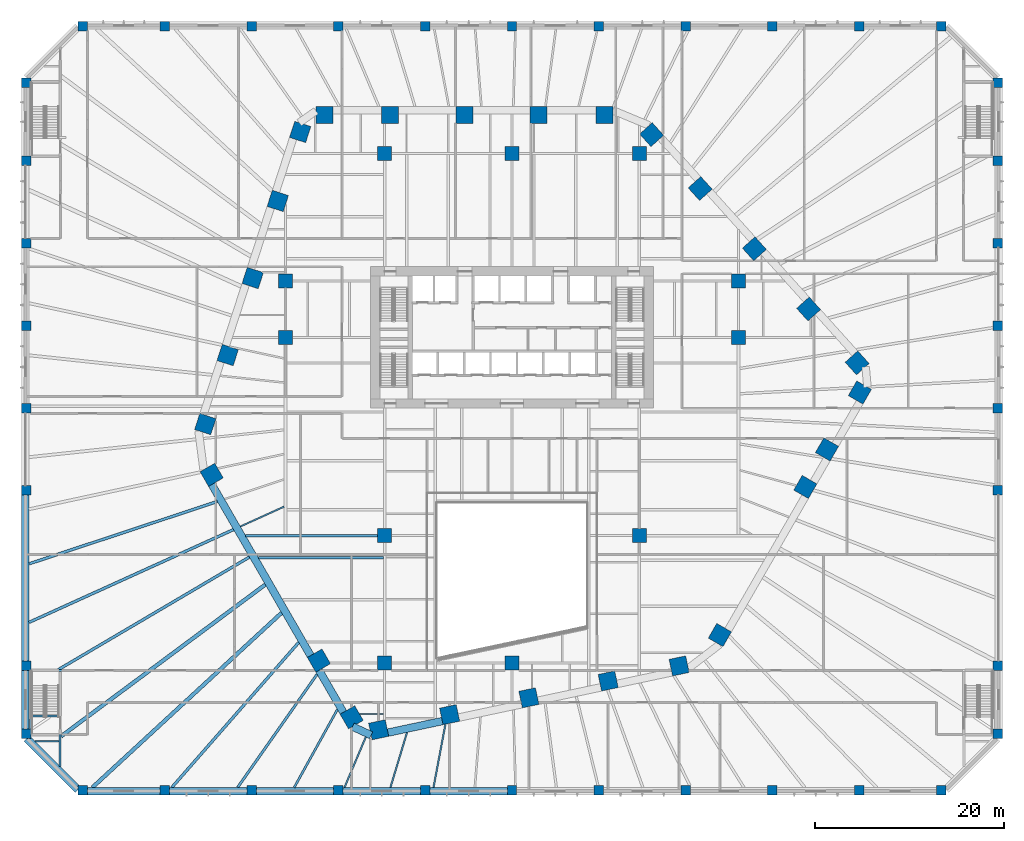
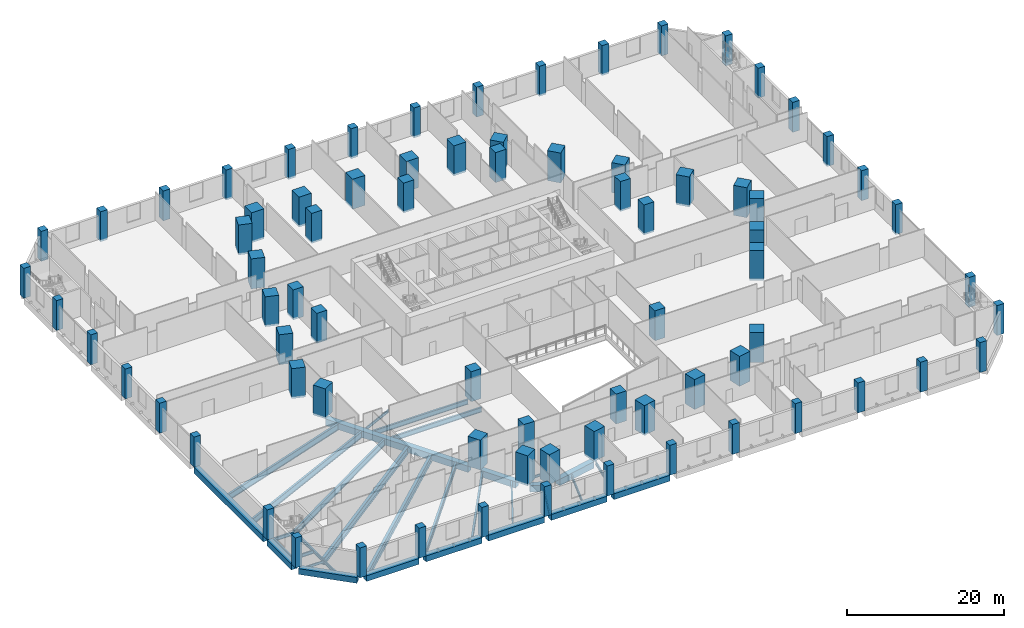
# One storey, part 1 of 33: 76 columns, 32 beams.
"""IFC4 building model written with IfcOpenShell, lengths in metres."""

from ifc_helpers import new_model, si_unit, direction, frame, origin, origin_2d, place, context, subcontext, project, spatial, rectangle, i_section, extrude, material, material_profile, profile_set, type_object, element, save


model = new_model("IFC4")

# Units and contexts
model_context = context("Model", 3, precision=1e-05, world=origin(), true_north=direction((0.0, 1.0)))
body_context = subcontext(model_context, "Body", "Model", "MODEL_VIEW")
ifc_project = project(units=[si_unit("LENGTHUNIT", "METRE"), si_unit("AREAUNIT", "SQUARE_METRE"), si_unit("VOLUMEUNIT", "CUBIC_METRE"), si_unit("PLANEANGLEUNIT", "RADIAN"), si_unit("MASSUNIT", "GRAM", prefix="KILO")], contexts=[model_context])

# Site, building, storey
site_placement = place(None, origin())
site = spatial("IfcSite", under=ifc_project, at=site_placement, CompositionType="ELEMENT")
building_placement = place(site_placement, origin())
building = spatial("IfcBuilding", under=site, at=building_placement, Name="Isthmus Gate Tower", CompositionType="ELEMENT")
storey_placement = place(building_placement, frame((0.0, 0.0, 31.5)))
storey = spatial("IfcBuildingStorey", under=building, at=storey_placement, Name="L05", CompositionType="ELEMENT", Elevation=31.5)

# Columns
ifc_material_1 = material(Name="Concrete f'c 70 MPa", Category="concrete")
ifc_material_profile_1 = material_profile(ifc_material_1, rectangle(XDim=1.5, YDim=1.5, at=origin_2d()), Name="RC 1500X1500")
ifc_profile_set_1 = profile_set([ifc_material_profile_1], Name="Concrete f'c 70 MPa")
column_type_1 = type_object("IfcColumnType", Name="RC INTERIOR COLUMN 1500 X 1500", PredefinedType="COLUMN", material=ifc_profile_set_1)
for number, where, z_axis, x_axis, name in (
    (1, (-24.0, 7.5, -0.300048828125), (0.0, 0.0, 1.0), (1.0, 0.0, 0.0), "str-icol-L05-ICA3"),
    (2, (-24.0, 13.5, -0.300048828125), (0.0, 0.0, 1.0), (1.0, 0.0, 0.0), "str-icol-L05-ICA4"),
    (3, (-13.5, -27.0, -0.300048828125), (0.0, 0.0, 1.0), (1.0, 0.0, 0.0), "str-icol-L05-ICB1"),
    (4, (-13.5, -13.5, -0.300048828125), (0.0, 0.0, 1.0), (1.0, 0.0, 0.0), "str-icol-L05-ICB2"),
    (5, (-13.5, 27.0, -0.300048828125), (0.0, 0.0, 1.0), (1.0, 0.0, 0.0), "str-icol-L05-ICB5"),
    (6, (0.0, -27.0, -0.300048828125), (0.0, 0.0, 1.0), (1.0, 0.0, 0.0), "str-icol-L05-ICC1"),
    (7, (0.0, 27.0, -0.300048828125), (0.0, 0.0, 1.0), (1.0, 0.0, 0.0), "str-icol-L05-ICC5"),
    (8, (13.5, -13.5, -0.300048828125), (0.0, 0.0, 1.0), (1.0, 0.0, 0.0), "str-icol-L05-ICD2"),
    (9, (13.5, 27.0, -0.300048828125), (0.0, 0.0, 1.0), (1.0, 0.0, 0.0), "str-icol-L05-ICD5"),
    (10, (24.0, 7.5, -0.300048828125), (0.0, 0.0, 1.0), (1.0, 0.0, 0.0), "str-icol-L05-ICE3"),
    (11, (24.0, 13.5, -0.300048828125), (0.0, 0.0, 1.0), (1.0, 0.0, 0.0), "str-icol-L05-ICE4"),
):
    element("IfcColumn", number, at=place(storey_placement, frame(where, z_axis=z_axis, x_axis=x_axis)), inside=storey, type_object=column_type_1, Name=name, PredefinedType="COLUMN", context=body_context, shape_type="SweptSolid", body=[
        extrude(rectangle(XDim=1.5, YDim=1.5, at=origin_2d()), origin(), (0.0, 0.0, 1.0), 4.650146484375),
    ])
ifc_material_2 = material(Name="Concrete f'c 70 MPa", Category="concrete")
ifc_material_profile_2 = material_profile(ifc_material_2, rectangle(XDim=1.0, YDim=1.0, at=origin_2d()), Name="RC 1000X1000")
ifc_profile_set_2 = profile_set([ifc_material_profile_2], Name="Concrete f'c 70 MPa")
column_type_2 = type_object("IfcColumnType", Name="RC PODIUM COLUMN 1000 X 1000", PredefinedType="COLUMN", material=ifc_profile_set_2)
for number, where, z_axis, x_axis, name in (
    (12, (-45.5, -40.5, -0.300048828125), (0.0, 0.0, 1.0), (1.0, 0.0, 0.0), "str-pcol-L05-PC01"),
    (13, (-36.800048828125, -40.5, -0.300048828125), (0.0, 0.0, 1.0), (1.0, 0.0, 0.0), "str-pcol-L05-PC02"),
    (14, (-27.60009765625, -40.5, -0.300048828125), (0.0, 0.0, 1.0), (1.0, 0.0, 0.0), "str-pcol-L05-PC03"),
    (15, (-18.39990234375, -40.5, -0.300048828125), (0.0, 0.0, 1.0), (1.0, 0.0, 0.0), "str-pcol-L05-PC04"),
    (16, (-9.199951171875, -40.5, -0.300048828125), (0.0, 0.0, 1.0), (1.0, 0.0, 0.0), "str-pcol-L05-PC05"),
    (17, (0.0, -40.5, -0.300048828125), (0.0, 0.0, 1.0), (1.0, 0.0, 0.0), "str-pcol-L05-PC06"),
    (18, (9.199951171875, -40.5, -0.300048828125), (0.0, 0.0, 1.0), (1.0, 0.0, 0.0), "str-pcol-L05-PC07"),
    (19, (18.39990234375, -40.5, -0.300048828125), (0.0, 0.0, 1.0), (1.0, 0.0, 0.0), "str-pcol-L05-PC08"),
    (20, (27.60009765625, -40.5, -0.300048828125), (0.0, 0.0, 1.0), (1.0, 0.0, 0.0), "str-pcol-L05-PC09"),
    (21, (36.800048828125, -40.5, -0.300048828125), (0.0, 0.0, 1.0), (1.0, 0.0, 0.0), "str-pcol-L05-PC10"),
    (22, (45.5, -40.5, -0.300048828125), (0.0, 0.0, 1.0), (1.0, 0.0, 0.0), "str-pcol-L05-PC11"),
    (23, (51.5, -34.5, -0.300048828125), (0.0, 0.0, 1.0), (0.0, 1.0, 0.0), "str-pcol-L05-PC12"),
    (24, (51.5, 0.0, -0.300048828125), (0.0, 0.0, 1.0), (0.0, 1.0, 0.0), "str-pcol-L05-PC13"),
    (25, (51.5, 8.75, -0.300048828125), (0.0, 0.0, 1.0), (0.0, 1.0, 0.0), "str-pcol-L05-PC14"),
    (26, (51.5, 17.5, -0.300048828125), (0.0, 0.0, 1.0), (0.0, 1.0, 0.0), "str-pcol-L05-PC15"),
    (27, (51.5, 26.25, -0.300048828125), (0.0, 0.0, 1.0), (0.0, 1.0, 0.0), "str-pcol-L05-PC16"),
    (28, (51.5, 34.5, -0.300048828125), (0.0, 0.0, 1.0), (0.0, 1.0, 0.0), "str-pcol-L05-PC17"),
    (29, (45.5, 40.5, -0.300048828125), (0.0, 0.0, 1.0), (-1.0, 0.0, 0.0), "str-pcol-L05-PC18"),
    (30, (36.800048828125, 40.5, -0.300048828125), (0.0, 0.0, 1.0), (-1.0, 0.0, 0.0), "str-pcol-L05-PC19"),
    (31, (27.60009765625, 40.5, -0.300048828125), (0.0, 0.0, 1.0), (-1.0, 0.0, 0.0), "str-pcol-L05-PC20"),
    (32, (18.39990234375, 40.5, -0.300048828125), (0.0, 0.0, 1.0), (-1.0, 0.0, 0.0), "str-pcol-L05-PC21"),
    (33, (9.199951171875, 40.5, -0.300048828125), (0.0, 0.0, 1.0), (-1.0, 0.0, 0.0), "str-pcol-L05-PC22"),
    (34, (0.0, 40.5, -0.300048828125), (0.0, 0.0, 1.0), (-1.0, 0.0, 0.0), "str-pcol-L05-PC23"),
    (35, (-9.199951171875, 40.5, -0.300048828125), (0.0, 0.0, 1.0), (-1.0, 0.0, 0.0), "str-pcol-L05-PC24"),
    (36, (-18.39990234375, 40.5, -0.300048828125), (0.0, 0.0, 1.0), (-1.0, 0.0, 0.0), "str-pcol-L05-PC25"),
    (37, (-27.60009765625, 40.5, -0.300048828125), (0.0, 0.0, 1.0), (-1.0, 0.0, 0.0), "str-pcol-L05-PC26"),
    (38, (-36.800048828125, 40.5, -0.300048828125), (0.0, 0.0, 1.0), (-1.0, 0.0, 0.0), "str-pcol-L05-PC27"),
    (39, (-45.5, 40.5, -0.300048828125), (0.0, 0.0, 1.0), (-1.0, 0.0, 0.0), "str-pcol-L05-PC28"),
    (40, (-51.5, 34.5, -0.300048828125), (0.0, 0.0, 1.0), (0.0, -1.0, 0.0), "str-pcol-L05-PC29"),
    (41, (-51.5, 26.25, -0.300048828125), (0.0, 0.0, 1.0), (0.0, -1.0, 0.0), "str-pcol-L05-PC30"),
    (42, (-51.5, 17.5, -0.300048828125), (0.0, 0.0, 1.0), (0.0, -1.0, 0.0), "str-pcol-L05-PC31"),
    (43, (-51.5, 8.75, -0.300048828125), (0.0, 0.0, 1.0), (0.0, -1.0, 0.0), "str-pcol-L05-PC32"),
    (44, (-51.5, 0.0, -0.300048828125), (0.0, 0.0, 1.0), (0.0, -1.0, 0.0), "str-pcol-L05-PC33"),
    (45, (-51.5, -34.5, -0.300048828125), (0.0, 0.0, 1.0), (0.0, -1.0, 0.0), "str-pcol-L05-PC34"),
    (46, (-51.5, -27.300048828125, -0.300048828125), (0.0, 0.0, 1.0), (0.0, 1.0, 0.0), "str-pcol-L05-PC35"),
    (47, (-51.5, -8.699951171875, -0.300048828125), (0.0, 0.0, 1.0), (0.0, 1.0, 0.0), "str-pcol-L05-PC36"),
    (48, (51.5, -27.300048828125, -0.300048828125), (0.0, 0.0, 1.0), (0.0, 1.0, 0.0), "str-pcol-L05-PC37"),
    (49, (51.5, -8.699951171875, -0.300048828125), (0.0, 0.0, 1.0), (0.0, 1.0, 0.0), "str-pcol-L05-PC38"),
):
    element("IfcColumn", number, at=place(storey_placement, frame(where, z_axis=z_axis, x_axis=x_axis)), inside=storey, type_object=column_type_2, Name=name, PredefinedType="COLUMN", context=body_context, shape_type="SweptSolid", body=[
        extrude(rectangle(XDim=1.0, YDim=1.0, at=origin_2d()), origin(), (0.0, 0.0, 1.0), 4.650146484375),
    ])
ifc_material_3 = material(Name="Concrete f'c 70 MPa", Category="concrete")
ifc_material_profile_3 = material_profile(ifc_material_3, rectangle(XDim=1.800048828125, YDim=1.800048828125, at=origin_2d()), Name="RC 1800X1800")
ifc_profile_set_3 = profile_set([ifc_material_profile_3], Name="Concrete f'c 70 MPa")
column_type_3 = type_object("IfcColumnType", Name="RC TUBE COLUMN 1800 X 1800", PredefinedType="COLUMN", material=ifc_profile_set_3)
for number, where, z_axis, x_axis, name in (
    (50, (9.8017578125, 31.10009765625, -0.300048828125), (0.0, 0.0, 1.0), (-1.0, 0.0, 0.0), "str-tcol-L05-T1N0"),
    (51, (2.832275390625, 31.10009765625, -0.300048828125), (0.0, 0.0, 1.0), (-1.0, 0.0, 0.0), "str-tcol-L05-T1N1"),
    (52, (-5.037109375, 31.10009765625, -0.300048828125), (0.0, 0.0, 1.0), (-1.0, 0.0, 0.0), "str-tcol-L05-T1N2"),
    (53, (-12.90673828125, 31.10009765625, -0.300048828125), (0.0, 0.0, 1.0), (-1.0, 0.0, 0.0), "str-tcol-L05-T1N3"),
    (54, (-19.876220703125, 31.10009765625, -0.300048828125), (0.0, 0.0, 1.0), (-1.0, 0.0, 0.0), "str-tcol-L05-T1N4"),
    (55, (-22.451171875, 29.281005859375, -0.300048828125), (0.0, 0.0, 1.0), (-0.309016994375, -0.951056516295, 0.0), "str-tcol-L05-T1NW0"),
    (56, (-24.827392578125, 21.9677734375, -0.300048828125), (0.0, 0.0, 1.0), (-0.309016994375, -0.951056516295, 0.0), "str-tcol-L05-T1NW1"),
    (57, (-27.481689453125, 13.798828125, -0.300048828125), (0.0, 0.0, 1.0), (-0.309016994375, -0.951056516295, 0.0), "str-tcol-L05-T1NW2"),
    (58, (-30.135986328125, 5.6298828125, -0.300048828125), (0.0, 0.0, 1.0), (-0.309016994375, -0.951056516295, 0.0), "str-tcol-L05-T1NW3"),
    (59, (-32.511962890625, -1.68310546875, -0.300048828125), (0.0, 0.0, 1.0), (-0.309016994375, -0.951056516295, 0.0), "str-tcol-L05-T1NW4"),
    (60, (-31.834228515625, -7.061279296875, -0.300048828125), (0.0, 0.0, 1.0), (0.5, -0.866025403784, 0.0), "str-tcol-L05-T1SW0"),
    (61, (-20.467041015625, -26.75, -0.300048828125), (0.0, 0.0, 1.0), (0.5, -0.866025403784, 0.0), "str-tcol-L05-T1SW2"),
    (62, (-16.995361328125, -32.763427734375, -0.300048828125), (0.0, 0.0, 1.0), (0.5, -0.866025403784, 0.0), "str-tcol-L05-T1SW3"),
    (63, (-14.13232421875, -34.083740234375, -0.300048828125), (0.0, 0.0, 1.0), (0.978147600734, 0.207911690818, 0.0), "str-tcol-L05-T1S0"),
    (64, (-6.611083984375, -32.485107421875, -0.300048828125), (0.0, 0.0, 1.0), (0.978147600734, 0.207911690818, 0.0), "str-tcol-L05-T1S1"),
    (65, (1.79052734375, -30.69921875, -0.300048828125), (0.0, 0.0, 1.0), (0.978147600734, 0.207911690818, 0.0), "str-tcol-L05-T1S2"),
    (66, (10.192138671875, -28.91357421875, -0.300048828125), (0.0, 0.0, 1.0), (0.978147600734, 0.207911690818, 0.0), "str-tcol-L05-T1S3"),
    (67, (17.713623046875, -27.314697265625, -0.300048828125), (0.0, 0.0, 1.0), (0.978147600734, 0.207911690818, 0.0), "str-tcol-L05-T1S4"),
    (68, (22.032470703125, -24.03857421875, -0.300048828125), (0.0, 0.0, 1.0), (0.5, 0.866025403784, 0.0), "str-tcol-L05-T1SE0"),
    (69, (31.09033203125, -8.35009765625, -0.300048828125), (0.0, 0.0, 1.0), (0.5, 0.866025403784, 0.0), "str-tcol-L05-T1SE1"),
    (70, (33.38671875, -4.37255859375, -0.300048828125), (0.0, 0.0, 1.0), (0.5, 0.866025403784, 0.0), "str-tcol-L05-T1SE2"),
    (71, (36.87158203125, 1.663330078125, -0.300048828125), (0.0, 0.0, 1.0), (0.5, 0.866025403784, 0.0), "str-tcol-L05-T1SE3"),
    (72, (36.583740234375, 4.802978515625, -0.300048828125), (0.0, 0.0, 1.0), (-0.669130606359, 0.743144825477, 0.0), "str-tcol-L05-T1NE0"),
    (73, (31.4384765625, 10.517333984375, -0.300048828125), (0.0, 0.0, 1.0), (-0.669130606359, 0.743144825477, 0.0), "str-tcol-L05-T1NE1"),
    (74, (25.691162109375, 16.900390625, -0.300048828125), (0.0, 0.0, 1.0), (-0.669130606359, 0.743144825477, 0.0), "str-tcol-L05-T1NE2"),
    (75, (19.943603515625, 23.283447265625, -0.300048828125), (0.0, 0.0, 1.0), (-0.669130606359, 0.743144825477, 0.0), "str-tcol-L05-T1NE3"),
    (76, (14.798583984375, 28.997802734375, -0.300048828125), (0.0, 0.0, 1.0), (-0.669130606359, 0.743144825477, 0.0), "str-tcol-L05-T1NE4"),
):
    element("IfcColumn", number, at=place(storey_placement, frame(where, z_axis=z_axis, x_axis=x_axis)), inside=storey, type_object=column_type_3, Name=name, PredefinedType="COLUMN", context=body_context, shape_type="SweptSolid", body=[
        extrude(rectangle(XDim=1.800048828125, YDim=1.800048828125, at=origin_2d()), origin(), (0.0, 0.0, 1.0), 4.650146484375),
    ])

# Beams
ifc_material_4 = material(Name="Concrete f'c 70 MPa", Category="concrete")
ifc_material_profile_4 = material_profile(ifc_material_4, rectangle(XDim=0.800048828125, YDim=0.89990234375, at=origin_2d()), Name="RC 800X900")
ifc_profile_set_4 = profile_set([ifc_material_profile_4], Name="Concrete f'c 70 MPa")
beam_type_1 = type_object("IfcBeamType", Name="RC EDGE BEAM 800 X 900", PredefinedType="BEAM", material=ifc_profile_set_4)
beam_1_placement = place(storey_placement, frame((-46.0, -40.434326171875, -0.75), z_axis=(-0.707106781187, 0.707106781187, 0.0), x_axis=(-0.707106781187, -0.707106781187, 0.0)))
element("IfcBeam", 77, at=beam_1_placement, inside=storey, type_object=beam_type_1, Name="str-edgebeam-L05-00", PredefinedType="BEAM", context=body_context, shape_type="SweptSolid", body=[
    extrude(rectangle(XDim=0.800048828125, YDim=0.89990234375, at=origin_2d()), origin(), (0.0, 0.0, 1.0), 7.685302734375),
])
beam_2_placement = place(storey_placement, frame((-51.60009765625, -34.0, -0.75), z_axis=(0.0, 1.0, 0.0), x_axis=(-1.0, 0.0, 0.0)))
element("IfcBeam", 78, at=beam_2_placement, inside=storey, type_object=beam_type_1, Name="str-edgebeam-L05-01", PredefinedType="BEAM", context=body_context, shape_type="SweptSolid", body=[
    extrude(rectangle(XDim=0.800048828125, YDim=0.89990234375, at=origin_2d()), origin(), (0.0, 0.0, 1.0), 6.199951171875),
])
beam_3_placement = place(storey_placement, frame((-51.60009765625, -26.800048828125, -0.75), z_axis=(0.0, 1.0, 0.0), x_axis=(-1.0, 0.0, 0.0)))
element("IfcBeam", 79, at=beam_3_placement, inside=storey, type_object=beam_type_1, Name="str-edgebeam-L05-02", PredefinedType="BEAM", context=body_context, shape_type="SweptSolid", body=[
    extrude(rectangle(XDim=0.800048828125, YDim=0.89990234375, at=origin_2d()), origin(), (0.0, 0.0, 1.0), 17.60009765625),
])
for number, where, z_axis, x_axis, name in (
    (80, (-0.5, -40.60009765625, -0.75), (-1.0, 0.0, 0.0), (0.0, -1.0, 0.0), "str-edgebeam-L05-33"),
    (81, (-9.699951171875, -40.60009765625, -0.75), (-1.0, 0.0, 0.0), (0.0, -1.0, 0.0), "str-edgebeam-L05-34"),
):
    element("IfcBeam", number, at=place(storey_placement, frame(where, z_axis=z_axis, x_axis=x_axis)), inside=storey, type_object=beam_type_1, Name=name, PredefinedType="BEAM", context=body_context, shape_type="SweptSolid", body=[
        extrude(rectangle(XDim=0.800048828125, YDim=0.89990234375, at=origin_2d()), origin(), (0.0, 0.0, 1.0), 8.199951171875),
    ])
beam_4_placement = place(storey_placement, frame((-18.89990234375, -40.60009765625, -0.75), z_axis=(-1.0, 0.0, 0.0), x_axis=(0.0, -1.0, 0.0)))
element("IfcBeam", 82, at=beam_4_placement, inside=storey, type_object=beam_type_1, Name="str-edgebeam-L05-35", PredefinedType="BEAM", context=body_context, shape_type="SweptSolid", body=[
    extrude(rectangle(XDim=0.800048828125, YDim=0.89990234375, at=origin_2d()), origin(), (0.0, 0.0, 1.0), 8.2001953125),
])
beam_5_placement = place(storey_placement, frame((-28.10009765625, -40.60009765625, -0.75), z_axis=(-1.0, 0.0, 0.0), x_axis=(0.0, -1.0, 0.0)))
element("IfcBeam", 83, at=beam_5_placement, inside=storey, type_object=beam_type_1, Name="str-edgebeam-L05-36", PredefinedType="BEAM", context=body_context, shape_type="SweptSolid", body=[
    extrude(rectangle(XDim=0.800048828125, YDim=0.89990234375, at=origin_2d()), origin(), (0.0, 0.0, 1.0), 8.199951171875),
])
beam_6_placement = place(storey_placement, frame((-37.300048828125, -40.60009765625, -0.75), z_axis=(-1.0, 0.0, 0.0), x_axis=(0.0, -1.0, 0.0)))
element("IfcBeam", 84, at=beam_6_placement, inside=storey, type_object=beam_type_1, Name="str-edgebeam-L05-37", PredefinedType="BEAM", context=body_context, shape_type="SweptSolid", body=[
    extrude(rectangle(XDim=0.800048828125, YDim=0.89990234375, at=origin_2d()), origin(), (0.0, 0.0, 1.0), 7.699951171875),
])
ifc_material_5 = material(Name="Concrete f'c 70 MPa", Category="concrete")
ifc_material_profile_5 = material_profile(ifc_material_5, rectangle(XDim=0.800048828125, YDim=1.0, at=origin_2d()), Name="RC 800X1000")
ifc_profile_set_5 = profile_set([ifc_material_profile_5], Name="Concrete f'c 70 MPa")
beam_type_2 = type_object("IfcBeamType", Name="RC TUBE RING BEAM 800 X 1000", PredefinedType="BEAM", material=ifc_profile_set_5)
beam_7_placement = place(storey_placement, frame((-7.387451171875, -33.161376953125, -0.800048828125), z_axis=(-0.978149894464, -0.207900899374, 0.0), x_axis=(0.207900899374, -0.978149894464, 0.0)))
element("IfcBeam", 85, at=beam_7_placement, inside=storey, type_object=beam_type_2, Name="str-ringbeam-L05-13", PredefinedType="BEAM", context=body_context, shape_type="SweptSolid", body=[
    extrude(rectangle(XDim=0.800048828125, YDim=1.0, at=origin_2d()), origin(), (0.0, 0.0, 1.0), 5.88916015625),
])
beam_8_placement = place(storey_placement, frame((-14.929443359375, -34.662109375, -0.800048828125), z_axis=(-0.907290744498, 0.420503870314, 0.0), x_axis=(-0.420503870314, -0.907290744498, 0.0)))
element("IfcBeam", 86, at=beam_8_placement, inside=storey, type_object=beam_type_2, Name="str-ringbeam-L05-14", PredefinedType="BEAM", context=body_context, shape_type="SweptSolid", body=[
    extrude(rectangle(XDim=0.800048828125, YDim=1.0, at=origin_2d()), origin(), (0.0, 0.0, 1.0), 2.173095703125),
])
beam_9_placement = place(storey_placement, frame((-17.878173828125, -32.23388671875, -0.800048828125), z_axis=(-0.500044296292, 0.865999827798, 0.0), x_axis=(-0.865999827798, -0.500044296292, 0.0)))
element("IfcBeam", 87, at=beam_9_placement, inside=storey, type_object=beam_type_2, Name="str-ringbeam-L05-15", PredefinedType="BEAM", context=body_context, shape_type="SweptSolid", body=[
    extrude(rectangle(XDim=0.800048828125, YDim=1.0, at=origin_2d()), origin(), (0.0, 0.0, 1.0), 5.1435546875),
])
beam_10_placement = place(storey_placement, frame((-21.35009765625, -26.220458984375, -0.800048828125), z_axis=(-0.500004778811, 0.866022644719, 0.0), x_axis=(-0.866022644719, -0.500004778811, 0.0)))
element("IfcBeam", 88, at=beam_10_placement, inside=storey, type_object=beam_type_2, Name="str-ringbeam-L05-16", PredefinedType="BEAM", context=body_context, shape_type="SweptSolid", body=[
    extrude(rectangle(XDim=0.800048828125, YDim=1.0, at=origin_2d()), origin(), (0.0, 0.0, 1.0), 20.934326171875),
])
ifc_material_6 = material(Name="Structural steel ASTM A992 Gr 50", Category="steel")
ifc_material_profile_6 = material_profile(ifc_material_6, i_section(OverallWidth=0.1396484375, OverallDepth=0.4033203125, WebThickness=0.00634765625, FlangeThickness=0.010986328125, at=origin_2d()), Name="W16X31")
ifc_profile_set_6 = profile_set([ifc_material_profile_6], Name="Structural steel ASTM A992 Gr 50")
beam_type_3 = type_object("IfcBeamType", Name="STEEL FLOOR BEAM W16X31", PredefinedType="JOIST", material=ifc_profile_set_6)
beam_11_placement = place(storey_placement, frame((-50.567138671875, -35.301513671875, -0.501708984375), z_axis=(1.0, 0.0, 0.0), x_axis=(0.0, 1.0, 0.0)))
element("IfcBeam", 89, at=beam_11_placement, inside=storey, type_object=beam_type_3, Name="str-beam-L05-03-00", PredefinedType="JOIST", context=body_context, shape_type="SweptSolid", body=[
    extrude(i_section(OverallWidth=0.1396484375, OverallDepth=0.4033203125, WebThickness=0.00634765625, FlangeThickness=0.010986328125, at=origin_2d()), origin(), (0.0, 0.0, 1.0), 2.567138671875),
])
beam_12_placement = place(storey_placement, frame((-16.162353515625, -32.406005859375, -0.501708984375), z_axis=(1.0, 0.0, 0.0), x_axis=(0.0, 1.0, 0.0)))
element("IfcBeam", 90, at=beam_12_placement, inside=storey, type_object=beam_type_3, Name="str-beam-L05-11-00", PredefinedType="JOIST", context=body_context, shape_type="SweptSolid", body=[
    extrude(i_section(OverallWidth=0.1396484375, OverallDepth=0.4033203125, WebThickness=0.00634765625, FlangeThickness=0.010986328125, at=origin_2d()), origin(), (0.0, 0.0, 1.0), 2.5576171875),
])
ifc_material_7 = material(Name="Structural steel ASTM A992 Gr 50", Category="steel")
ifc_material_profile_7 = material_profile(ifc_material_7, i_section(OverallWidth=0.15234375, OverallDepth=0.45068359375, WebThickness=0.0078125, FlangeThickness=0.010986328125, at=origin_2d()), Name="W18X35")
ifc_profile_set_7 = profile_set([ifc_material_profile_7], Name="Structural steel ASTM A992 Gr 50")
beam_type_4 = type_object("IfcBeamType", Name="STEEL FLOOR BEAM W18X35", PredefinedType="JOIST", material=ifc_profile_set_7)
beam_13_placement = place(storey_placement, frame((-24.15234375, -10.4306640625, -0.525390625), z_axis=(-0.910630635338, -0.413221303884, 0.0), x_axis=(0.413221303884, -0.910630635338, 0.0)))
element("IfcBeam", 91, at=beam_13_placement, inside=storey, type_object=beam_type_4, Name="str-beam-L05-19-41", PredefinedType="JOIST", context=body_context, shape_type="SweptSolid", body=[
    extrude(i_section(OverallWidth=0.15234375, OverallDepth=0.45068359375, WebThickness=0.0078125, FlangeThickness=0.010986328125, at=origin_2d()), origin(), (0.0, 0.0, 1.0), 5.09228515625),
])
ifc_material_8 = material(Name="Structural steel ASTM A992 Gr 50", Category="steel")
ifc_material_profile_8 = material_profile(ifc_material_8, i_section(OverallWidth=0.1650390625, OverallDepth=0.52392578125, WebThickness=0.009521484375, FlangeThickness=0.010986328125, at=origin_2d()), Name="W21X44")
ifc_profile_set_8 = profile_set([ifc_material_profile_8], Name="Structural steel ASTM A992 Gr 50")
beam_type_5 = type_object("IfcBeamType", Name="STEEL FLOOR BEAM W21X44", PredefinedType="JOIST", material=ifc_profile_set_8)
beam_14_placement = place(storey_placement, frame((-15.49462890625, -34.841064453125, -0.56201171875), z_axis=(-0.388837459081, -0.921306371635, 0.0), x_axis=(0.921306371635, -0.388837459081, 0.0)))
element("IfcBeam", 92, at=beam_14_placement, inside=storey, type_object=beam_type_5, Name="str-beam-L05-19-49", PredefinedType="JOIST", context=body_context, shape_type="SweptSolid", body=[
    extrude(i_section(OverallWidth=0.1650390625, OverallDepth=0.52392578125, WebThickness=0.009521484375, FlangeThickness=0.010986328125, at=origin_2d()), origin(), (0.0, 0.0, 1.0), 5.816650390625),
])
beam_15_placement = place(storey_placement, frame((-11.12744140625, -34.365234375, -0.56201171875), z_axis=(-0.288681758509, -0.957425110546, 0.0), x_axis=(0.957425110546, -0.288681758509, 0.0)))
element("IfcBeam", 93, at=beam_15_placement, inside=storey, type_object=beam_type_5, Name="str-beam-L05-19-50", PredefinedType="JOIST", context=body_context, shape_type="SweptSolid", body=[
    extrude(i_section(OverallWidth=0.1650390625, OverallDepth=0.52392578125, WebThickness=0.009521484375, FlangeThickness=0.010986328125, at=origin_2d()), origin(), (0.0, 0.0, 1.0), 6.09423828125),
])
beam_16_placement = place(storey_placement, frame((-7.05810546875, -33.500244140625, -0.56201171875), z_axis=(-0.185278677276, -0.982686018903, 0.0), x_axis=(0.982686018903, -0.185278677276, 0.0)))
element("IfcBeam", 94, at=beam_16_placement, inside=storey, type_object=beam_type_5, Name="str-beam-L05-19-51", PredefinedType="JOIST", context=body_context, shape_type="SweptSolid", body=[
    extrude(i_section(OverallWidth=0.1650390625, OverallDepth=0.52392578125, WebThickness=0.009521484375, FlangeThickness=0.010986328125, at=origin_2d()), origin(), (0.0, 0.0, 1.0), 6.81787109375),
])
ifc_material_9 = material(Name="Structural steel ASTM A992 Gr 50", Category="steel")
ifc_material_profile_9 = material_profile(ifc_material_9, i_section(OverallWidth=0.228515625, OverallDepth=0.603271484375, WebThickness=0.010986328125, FlangeThickness=0.014404296875, at=origin_2d()), Name="W24X68")
ifc_profile_set_9 = profile_set([ifc_material_profile_9], Name="Structural steel ASTM A992 Gr 50")
beam_type_6 = type_object("IfcBeamType", Name="STEEL FLOOR BEAM W24X68", PredefinedType="JOIST", material=ifc_profile_set_9)
beam_17_placement = place(storey_placement, frame((-18.51025390625, -31.939453125, -0.6015625), z_axis=(-0.484551572164, -0.874762695772, 0.0), x_axis=(0.874762695772, -0.484551572164, 0.0)))
element("IfcBeam", 95, at=beam_17_placement, inside=storey, type_object=beam_type_6, Name="str-beam-L05-19-48", PredefinedType="JOIST", context=body_context, shape_type="SweptSolid", body=[
    extrude(i_section(OverallWidth=0.228515625, OverallDepth=0.603271484375, WebThickness=0.010986328125, FlangeThickness=0.014404296875, at=origin_2d()), origin(), (0.0, 0.0, 1.0), 9.443115234375),
])
ifc_material_10 = material(Name="Structural steel ASTM A992 Gr 50", Category="steel")
ifc_material_profile_10 = material_profile(ifc_material_10, i_section(OverallWidth=0.2666015625, OverallDepth=0.7587890625, WebThickness=0.014404296875, FlangeThickness=0.01904296875, at=origin_2d()), Name="W30X108")
ifc_profile_set_10 = profile_set([ifc_material_profile_10], Name="Structural steel ASTM A992 Gr 50")
beam_type_7 = type_object("IfcBeamType", Name="STEEL FLOOR BEAM W30X108", PredefinedType="JOIST", material=ifc_profile_set_10)
beam_18_placement = place(storey_placement, frame((-20.663818359375, -28.208984375, -0.679443359375), z_axis=(-0.574797800542, -0.818295477497, 0.0), x_axis=(0.818295477497, -0.574797800542, 0.0)))
element("IfcBeam", 96, at=beam_18_placement, inside=storey, type_object=beam_type_7, Name="str-beam-L05-19-47", PredefinedType="JOIST", context=body_context, shape_type="SweptSolid", body=[
    extrude(i_section(OverallWidth=0.2666015625, OverallDepth=0.7587890625, WebThickness=0.014404296875, FlangeThickness=0.01904296875, at=origin_2d()), origin(), (0.0, 0.0, 1.0), 14.653564453125),
])
ifc_material_11 = material(Name="Structural steel ASTM A992 Gr 50", Category="steel")
ifc_material_profile_11 = material_profile(ifc_material_11, i_section(OverallWidth=0.263427734375, OverallDepth=0.749267578125, WebThickness=0.0126953125, FlangeThickness=0.015869140625, at=origin_2d()), Name="W30X90")
ifc_profile_set_11 = profile_set([ifc_material_profile_11], Name="Structural steel ASTM A992 Gr 50")
beam_type_8 = type_object("IfcBeamType", Name="STEEL FLOOR BEAM W30X90", PredefinedType="JOIST", material=ifc_profile_set_11)
beam_19_placement = place(storey_placement, frame((-26.869140625, -15.861083984375, -0.674560546875), z_axis=(1.0, 0.0, 0.0), x_axis=(0.0, 1.0, 0.0)))
element("IfcBeam", 97, at=beam_19_placement, inside=storey, type_object=beam_type_8, Name="str-beam-L05-07-02", PredefinedType="JOIST", context=body_context, shape_type="SweptSolid", body=[
    extrude(i_section(OverallWidth=0.263427734375, OverallDepth=0.749267578125, WebThickness=0.0126953125, FlangeThickness=0.015869140625, at=origin_2d()), origin(), (0.0, 0.0, 1.0), 13.2421875),
])
ifc_material_12 = material(Name="Structural steel ASTM A992 Gr 50", Category="steel")
ifc_material_profile_12 = material_profile(ifc_material_12, i_section(OverallWidth=0.3046875, OverallDepth=0.914306640625, WebThickness=0.015869140625, FlangeThickness=0.025390625, at=origin_2d()), Name="W36X160")
ifc_profile_set_12 = profile_set([ifc_material_profile_12], Name="Structural steel ASTM A992 Gr 50")
beam_type_9 = type_object("IfcBeamType", Name="STEEL FLOOR BEAM W36X160", PredefinedType="JOIST", material=ifc_profile_set_12)
beam_20_placement = place(storey_placement, frame((-22.61376953125, -24.83154296875, -0.757080078125), z_axis=(-0.658515610802, -0.752567066998, 0.0), x_axis=(0.752567066998, -0.658515610802, 0.0)))
element("IfcBeam", 98, at=beam_20_placement, inside=storey, type_object=beam_type_9, Name="str-beam-L05-19-46", PredefinedType="JOIST", context=body_context, shape_type="SweptSolid", body=[
    extrude(i_section(OverallWidth=0.3046875, OverallDepth=0.914306640625, WebThickness=0.015869140625, FlangeThickness=0.025390625, at=origin_2d()), origin(), (0.0, 0.0, 1.0), 20.42138671875),
])
ifc_material_13 = material(Name="Structural steel ASTM A992 Gr 50", Category="steel")
ifc_material_profile_13 = material_profile(ifc_material_13, i_section(OverallWidth=0.29833984375, OverallDepth=0.981201171875, WebThickness=0.015869140625, FlangeThickness=0.025390625, at=origin_2d()), Name="W40X167")
ifc_profile_set_13 = profile_set([ifc_material_profile_13], Name="Structural steel ASTM A992 Gr 50")
beam_type_10 = type_object("IfcBeamType", Name="STEEL FLOOR BEAM W40X167", PredefinedType="JOIST", material=ifc_profile_set_13)
beam_21_placement = place(storey_placement, frame((-31.2392578125, -9.89208984375, -0.79052734375), z_axis=(-0.949398486623, -0.314074057507, 0.0), x_axis=(0.314074057507, -0.949398486623, 0.0)))
element("IfcBeam", 99, at=beam_21_placement, inside=storey, type_object=beam_type_10, Name="str-beam-L05-19-40", PredefinedType="JOIST", context=body_context, shape_type="SweptSolid", body=[
    extrude(i_section(OverallWidth=0.29833984375, OverallDepth=0.981201171875, WebThickness=0.015869140625, FlangeThickness=0.025390625, at=origin_2d()), origin(), (0.0, 0.0, 1.0), 21.024658203125),
])
beam_22_placement = place(storey_placement, frame((-29.521484375, -12.8671875, -0.79052734375), z_axis=(-0.910638122314, -0.413204804169, 0.0), x_axis=(0.413204804169, -0.910638122314, 0.0)))
element("IfcBeam", 100, at=beam_22_placement, inside=storey, type_object=beam_type_10, Name="str-beam-L05-19-42", PredefinedType="JOIST", context=body_context, shape_type="SweptSolid", body=[
    extrude(i_section(OverallWidth=0.29833984375, OverallDepth=0.981201171875, WebThickness=0.015869140625, FlangeThickness=0.025390625, at=origin_2d()), origin(), (0.0, 0.0, 1.0), 23.805908203125),
])
beam_23_placement = place(storey_placement, frame((-27.839599609375, -15.780517578125, -0.79052734375), z_axis=(-0.861553948308, -0.507666026197, 0.0), x_axis=(0.507666026197, -0.861553948308, 0.0)))
element("IfcBeam", 101, at=beam_23_placement, inside=storey, type_object=beam_type_10, Name="str-beam-L05-19-43", PredefinedType="JOIST", context=body_context, shape_type="SweptSolid", body=[
    extrude(i_section(OverallWidth=0.29833984375, OverallDepth=0.981201171875, WebThickness=0.015869140625, FlangeThickness=0.025390625, at=origin_2d()), origin(), (0.0, 0.0, 1.0), 23.517333984375),
])
ifc_material_14 = material(Name="Structural steel ASTM A992 Gr 50", Category="steel")
ifc_material_profile_14 = material_profile(ifc_material_14, i_section(OverallWidth=0.39990234375, OverallDepth=1.089111328125, WebThickness=0.017578125, FlangeThickness=0.03173828125, at=origin_2d()), Name="W44X230")
ifc_profile_set_14 = profile_set([ifc_material_profile_14], Name="Structural steel ASTM A992 Gr 50")
beam_type_11 = type_object("IfcBeamType", Name="STEEL FLOOR BEAM W44X230", PredefinedType="JOIST", material=ifc_profile_set_14)
beam_24_placement = place(storey_placement, frame((-26.154296875, -18.699462890625, -0.844482421875), z_axis=(-0.802711265728, -0.596367859524, 0.0), x_axis=(0.596367859524, -0.802711265728, 0.0)))
element("IfcBeam", 102, at=beam_24_placement, inside=storey, type_object=beam_type_11, Name="str-beam-L05-19-44", PredefinedType="JOIST", context=body_context, shape_type="SweptSolid", body=[
    extrude(i_section(OverallWidth=0.39990234375, OverallDepth=1.089111328125, WebThickness=0.017578125, FlangeThickness=0.03173828125, at=origin_2d()), origin(), (0.0, 0.0, 1.0), 26.953857421875),
])
beam_25_placement = place(storey_placement, frame((-24.4267578125, -21.691650390625, -0.844482421875), z_axis=(-0.73477668735, -0.678309088637, 0.0), x_axis=(0.678309088637, -0.73477668735, 0.0)))
element("IfcBeam", 103, at=beam_25_placement, inside=storey, type_object=beam_type_11, Name="str-beam-L05-19-45", PredefinedType="JOIST", context=body_context, shape_type="SweptSolid", body=[
    extrude(i_section(OverallWidth=0.39990234375, OverallDepth=1.089111328125, WebThickness=0.017578125, FlangeThickness=0.03173828125, at=origin_2d()), origin(), (0.0, 0.0, 1.0), 27.285888671875),
])
ifc_material_15 = material(Name="Structural steel ASTM A992 Gr 50", Category="steel")
ifc_material_profile_15 = material_profile(ifc_material_15, i_section(OverallWidth=0.2666015625, OverallDepth=0.7587890625, WebThickness=0.014404296875, FlangeThickness=0.01904296875, at=origin_2d()), Name="W30X108")
ifc_profile_set_15 = profile_set([ifc_material_profile_15], Name="Structural steel ASTM A992 Gr 50")
beam_type_12 = type_object("IfcBeamType", Name="STEEL GIRDER W30X108", PredefinedType="BEAM", material=ifc_profile_set_15)
beam_26_placement = place(storey_placement, frame((-28.232421875, -13.5, -0.679443359375), z_axis=(1.0, 0.0, 0.0), x_axis=(0.0, 1.0, 0.0)))
element("IfcBeam", 104, at=beam_26_placement, inside=storey, type_object=beam_type_12, Name="str-girder-L05-05", PredefinedType="BEAM", context=body_context, shape_type="SweptSolid", body=[
    extrude(i_section(OverallWidth=0.2666015625, OverallDepth=0.7587890625, WebThickness=0.014404296875, FlangeThickness=0.01904296875, at=origin_2d()), origin(), (0.0, 0.0, 1.0), 13.982421875),
])
ifc_material_16 = material(Name="Structural steel ASTM A992 Gr 50", Category="steel")
ifc_material_profile_16 = material_profile(ifc_material_16, i_section(OverallWidth=0.20947265625, OverallDepth=0.533447265625, WebThickness=0.009521484375, FlangeThickness=0.015869140625, at=origin_2d()), Name="W21X62")
ifc_profile_set_16 = profile_set([ifc_material_profile_16], Name="Structural steel ASTM A992 Gr 50")
beam_type_13 = type_object("IfcBeamType", Name="STEEL TRIMMER W21X62", PredefinedType="BEAM", material=ifc_profile_set_16)
beam_27_placement = place(storey_placement, frame((-47.895263671875, -37.973388671875, -0.566650390625), z_axis=(0.0, 1.0, 0.0), x_axis=(-1.0, 0.0, 0.0)))
element("IfcBeam", 105, at=beam_27_placement, inside=storey, type_object=beam_type_13, Name="str-trimmer-L05-03", PredefinedType="BEAM", context=body_context, shape_type="SweptSolid", body=[
    extrude(i_section(OverallWidth=0.20947265625, OverallDepth=0.533447265625, WebThickness=0.009521484375, FlangeThickness=0.015869140625, at=origin_2d()), origin(), (0.0, 0.0, 1.0), 10.04443359375),
])
beam_28_placement = place(storey_placement, frame((-51.0546875, -27.800048828125, -0.566650390625), z_axis=(0.0, -1.0, 0.0), x_axis=(1.0, 0.0, 0.0)))
element("IfcBeam", 106, at=beam_28_placement, inside=storey, type_object=beam_type_13, Name="str-trimmer-L05-04", PredefinedType="BEAM", context=body_context, shape_type="SweptSolid", body=[
    extrude(i_section(OverallWidth=0.20947265625, OverallDepth=0.533447265625, WebThickness=0.009521484375, FlangeThickness=0.015869140625, at=origin_2d()), origin(), (0.0, 0.0, 1.0), 6.199951171875),
])
beam_29_placement = place(storey_placement, frame((-47.300048828125, -27.82421875, -0.566650390625), z_axis=(-1.0, 0.0, 0.0), x_axis=(0.0, -1.0, 0.0)))
element("IfcBeam", 107, at=beam_29_placement, inside=storey, type_object=beam_type_13, Name="str-trimmer-L05-13", PredefinedType="BEAM", context=body_context, shape_type="SweptSolid", body=[
    extrude(i_section(OverallWidth=0.20947265625, OverallDepth=0.533447265625, WebThickness=0.009521484375, FlangeThickness=0.015869140625, at=origin_2d()), origin(), (0.0, 0.0, 1.0), 3.64990234375),
])
beam_30_placement = place(storey_placement, frame((-50.949951171875, -32.629638671875, -0.566650390625), z_axis=(1.0, 0.0, 0.0), x_axis=(0.0, 1.0, 0.0)))
element("IfcBeam", 108, at=beam_30_placement, inside=storey, type_object=beam_type_13, Name="str-trimmer-L05-14", PredefinedType="BEAM", context=body_context, shape_type="SweptSolid", body=[
    extrude(i_section(OverallWidth=0.20947265625, OverallDepth=0.533447265625, WebThickness=0.009521484375, FlangeThickness=0.015869140625, at=origin_2d()), origin(), (0.0, 0.0, 1.0), 2.949951171875),
])

save(model, "model.ifc")
